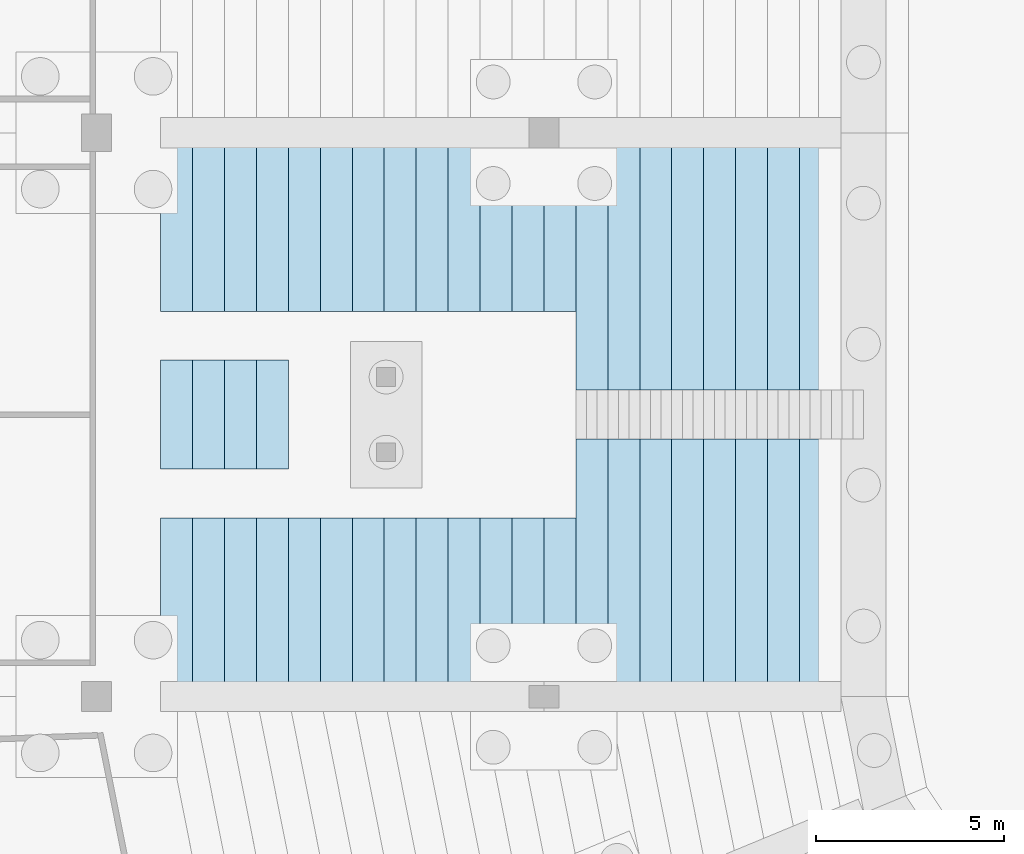
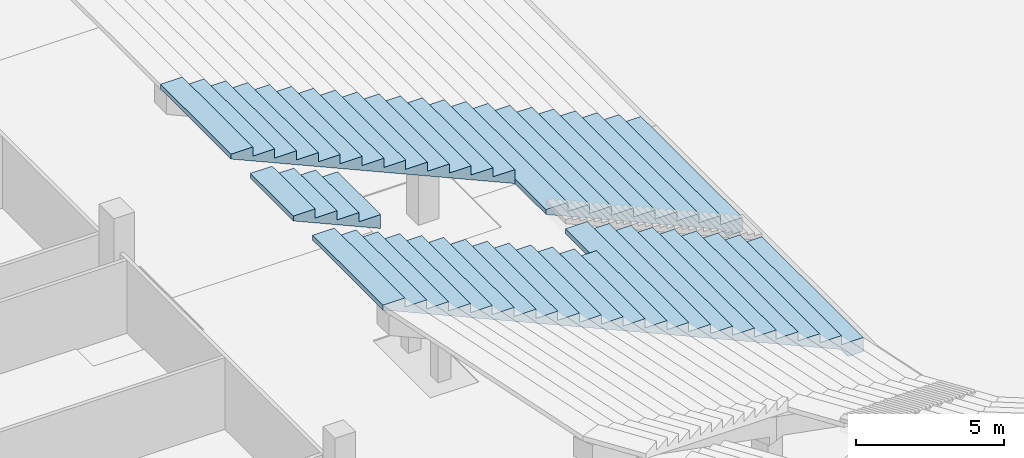
# One storey, part 43 of 115: 1 slab.
"""IFC4 building model written with IfcOpenShell, lengths in metres."""

from ifc_helpers import new_model, si_unit, direction, frame, origin, place, context, subcontext, project, spatial, faceted_brep, material, layer, layer_set, type_object, element, save


model = new_model("IFC4")

# Units and contexts
model_context = context("Model", 3, precision=1e-05, world=origin(), true_north=direction((0.0, 1.0)))
body_context = subcontext(model_context, "Body", "Model", "MODEL_VIEW")
ifc_project = project(units=[si_unit("LENGTHUNIT", "METRE"), si_unit("AREAUNIT", "SQUARE_METRE"), si_unit("VOLUMEUNIT", "CUBIC_METRE"), si_unit("PLANEANGLEUNIT", "RADIAN"), si_unit("MASSUNIT", "GRAM", prefix="KILO")], contexts=[model_context])

# Site, building, storey
site_placement = place(None, origin())
site = spatial("IfcSite", under=ifc_project, at=site_placement, CompositionType="ELEMENT")
building_placement = place(site_placement, origin())
building = spatial("IfcBuilding", under=site, at=building_placement, Name="Ogive Plaza Stadium", CompositionType="ELEMENT")
storey_placement = place(building_placement, frame((0.0, 0.0, -4.5)))
storey = spatial("IfcBuildingStorey", under=building, at=storey_placement, Name="B1", CompositionType="ELEMENT", Elevation=-4.5)

# Slab
ifc_material = material(Name="Concrete C45/55 precast", Category="concrete")
ifc_layer = layer(ifc_material, 0.574951171875)
ifc_layer_set = layer_set([ifc_layer], Name="Concrete C45/55 precast")
slab_type = type_object("IfcSlabType", Name="Seating tier LT 575", PredefinedType="USERDEFINED", material=ifc_layer_set)
slab_placement = place(storey_placement, origin())
element("IfcSlab", 1, at=slab_placement, inside=storey, type_object=slab_type, Name="Stand LT B21", ObjectType="SEATING TIER", PredefinedType="USERDEFINED", context=body_context, shape_type="Brep", body=[
    faceted_brep([(-41.5, -45.64990234375, 1.125), (-42.10009765625, -45.64990234375, 1.125), (-42.10009765625, -52.5, 1.125), (-41.5, -52.5, 1.125), (-41.5, -37.5, 1.125), (-42.10009765625, -37.5, 1.125), (-42.10009765625, -44.35009765625, 1.125), (-41.5, -44.35009765625, 1.125), (-42.35009765625, -45.64990234375, 1.125), (-42.35009765625, -52.5, 1.125), (-42.35009765625, -37.5, 1.125), (-42.35009765625, -44.35009765625, 1.125), (-42.10009765625, -45.64990234375, 0.550048828125), (-41.5, -52.5, 0.550048828125), (-42.10009765625, -52.5, 0.550048828125), (-41.5, -45.64990234375, 0.550048828125), (-42.10009765625, -37.5, 0.550048828125), (-41.5, -44.35009765625, 0.550048828125), (-42.10009765625, -44.35009765625, 0.550048828125), (-41.5, -37.5, 0.550048828125), (-42.35009765625, -52.5, 0.925048828125), (-42.35009765625, -52.5, 1.5), (-43.199951171875, -52.5, 1.5), (-43.199951171875, -52.5, 1.300048828125), (-43.199951171875, -52.5, 1.875), (-44.050048828125, -52.5, 1.875), (-44.050048828125, -52.5, 1.675048828125), (-44.050048828125, -52.5, 2.25), (-44.89990234375, -52.5, 2.25), (-44.89990234375, -52.5, 2.050048828125), (-44.89990234375, -52.5, 2.625), (-45.75, -52.5, 2.625), (-45.75, -52.5, 2.425048828125), (-45.75, -52.5, 3.0), (-46.60009765625, -52.5, 3.0), (-46.60009765625, -52.5, 2.800048828125), (-46.60009765625, -52.5, 3.375), (-47.449951171875, -52.5, 3.375), (-47.449951171875, -52.5, 3.175048828125), (-47.449951171875, -52.5, 3.75), (-48.300048828125, -52.5, 3.75), (-48.300048828125, -52.5, 3.550048828125), (-48.300048828125, -52.5, 4.125), (-49.14990234375, -52.5, 4.125), (-49.14990234375, -52.5, 3.925048828125), (-49.14990234375, -52.5, 4.5), (-50.0, -52.5, 4.5), (-50.0, -52.5, 4.300048828125), (-50.0, -52.5, 4.875), (-50.85009765625, -52.5, 4.875), (-50.85009765625, -52.5, 4.675048828125), (-50.85009765625, -52.5, 5.25), (-51.699951171875, -52.5, 5.25), (-51.699951171875, -52.5, 5.050048828125), (-51.699951171875, -52.5, 5.625), (-52.550048828125, -52.5, 5.625), (-52.550048828125, -52.5, 5.425048828125), (-52.550048828125, -52.5, 6.0), (-53.39990234375, -52.5, 6.0), (-53.39990234375, -52.5, 5.800048828125), (-53.39990234375, -52.5, 6.375), (-54.25, -52.5, 6.375), (-54.25, -52.5, 6.175048828125), (-54.25, -52.5, 6.75), (-55.10009765625, -52.5, 6.75), (-55.10009765625, -52.5, 6.550048828125), (-55.10009765625, -52.5, 7.125), (-55.949951171875, -52.5, 7.125), (-55.949951171875, -52.5, 6.925048828125), (-55.949951171875, -52.5, 7.5), (-56.800048828125, -52.5, 7.5), (-56.800048828125, -52.5, 7.300048828125), (-56.800048828125, -52.5, 7.875), (-57.64990234375, -52.5, 7.875), (-57.64990234375, -52.5, 7.675048828125), (-57.64990234375, -52.5, 8.25), (-58.5, -52.5, 8.25), (-58.5, -52.5, 8.050048828125), (-58.5, -52.5, 8.625), (-59.35009765625, -52.5, 8.625), (-59.35009765625, -52.5, 8.425048828125), (-59.35009765625, -52.5, 9.0), (-60.199951171875, -52.5, 9.0), (-60.199951171875, -52.5, 8.800048828125), (-42.35009765625, -45.64990234375, 0.925048828125), (-43.199951171875, -45.64990234375, 1.5), (-42.35009765625, -45.64990234375, 1.5), (-43.199951171875, -45.64990234375, 1.300048828125), (-44.050048828125, -45.64990234375, 1.875), (-43.199951171875, -45.64990234375, 1.875), (-44.050048828125, -45.64990234375, 1.675048828125), (-44.89990234375, -45.64990234375, 2.25), (-44.050048828125, -45.64990234375, 2.25), (-44.89990234375, -45.64990234375, 2.050048828125), (-45.75, -45.64990234375, 2.625), (-44.89990234375, -45.64990234375, 2.625), (-45.75, -45.64990234375, 2.425048828125), (-46.60009765625, -45.64990234375, 3.0), (-45.75, -45.64990234375, 3.0), (-46.60009765625, -45.64990234375, 2.800048828125), (-47.449951171875, -45.64990234375, 3.375), (-46.60009765625, -45.64990234375, 3.375), (-47.449951171875, -45.64990234375, 3.175048828125), (-48.300048828125, -45.64990234375, 3.75), (-47.449951171875, -45.64990234375, 3.75), (-48.300048828125, -45.64990234375, 3.550048828125), (-49.14990234375, -45.64990234375, 4.125), (-48.300048828125, -45.64990234375, 4.125), (-49.14990234375, -45.64990234375, 3.925048828125), (-42.35009765625, -44.35009765625, 0.925048828125), (-42.35009765625, -44.35009765625, 1.5), (-43.199951171875, -44.35009765625, 1.5), (-43.199951171875, -44.35009765625, 1.300048828125), (-43.199951171875, -44.35009765625, 1.875), (-44.050048828125, -44.35009765625, 1.875), (-44.050048828125, -44.35009765625, 1.675048828125), (-44.050048828125, -44.35009765625, 2.25), (-44.89990234375, -44.35009765625, 2.25), (-44.89990234375, -44.35009765625, 2.050048828125), (-44.89990234375, -44.35009765625, 2.625), (-45.75, -44.35009765625, 2.625), (-45.75, -44.35009765625, 2.425048828125), (-45.75, -44.35009765625, 3.0), (-46.60009765625, -44.35009765625, 3.0), (-46.60009765625, -44.35009765625, 2.800048828125), (-46.60009765625, -44.35009765625, 3.375), (-47.449951171875, -44.35009765625, 3.375), (-47.449951171875, -44.35009765625, 3.175048828125), (-47.449951171875, -44.35009765625, 3.75), (-48.300048828125, -44.35009765625, 3.75), (-48.300048828125, -44.35009765625, 3.550048828125), (-48.300048828125, -44.35009765625, 4.125), (-49.14990234375, -44.35009765625, 4.125), (-49.14990234375, -44.35009765625, 3.925048828125), (-42.35009765625, -37.5, 0.925048828125), (-43.199951171875, -37.5, 1.5), (-42.35009765625, -37.5, 1.5), (-43.199951171875, -37.5, 1.300048828125), (-44.050048828125, -37.5, 1.875), (-43.199951171875, -37.5, 1.875), (-44.050048828125, -37.5, 1.675048828125), (-44.89990234375, -37.5, 2.25), (-44.050048828125, -37.5, 2.25), (-44.89990234375, -37.5, 2.050048828125), (-45.75, -37.5, 2.625), (-44.89990234375, -37.5, 2.625), (-45.75, -37.5, 2.425048828125), (-46.60009765625, -37.5, 3.0), (-45.75, -37.5, 3.0), (-46.60009765625, -37.5, 2.800048828125), (-47.449951171875, -37.5, 3.375), (-46.60009765625, -37.5, 3.375), (-47.449951171875, -37.5, 3.175048828125), (-48.300048828125, -37.5, 3.75), (-47.449951171875, -37.5, 3.75), (-48.300048828125, -37.5, 3.550048828125), (-49.14990234375, -37.5, 4.125), (-48.300048828125, -37.5, 4.125), (-49.14990234375, -37.5, 3.925048828125), (-50.0, -37.5, 4.5), (-49.14990234375, -37.5, 4.5), (-50.0, -37.5, 4.300048828125), (-50.85009765625, -37.5, 4.875), (-50.0, -37.5, 4.875), (-50.85009765625, -37.5, 4.675048828125), (-51.699951171875, -37.5, 5.25), (-50.85009765625, -37.5, 5.25), (-51.699951171875, -37.5, 5.050048828125), (-52.550048828125, -37.5, 5.625), (-51.699951171875, -37.5, 5.625), (-52.550048828125, -37.5, 5.425048828125), (-53.39990234375, -37.5, 6.0), (-52.550048828125, -37.5, 6.0), (-53.39990234375, -37.5, 5.800048828125), (-54.25, -37.5, 6.375), (-53.39990234375, -37.5, 6.375), (-54.25, -37.5, 6.175048828125), (-55.10009765625, -37.5, 6.75), (-54.25, -37.5, 6.75), (-55.10009765625, -37.5, 6.550048828125), (-55.949951171875, -37.5, 7.125), (-55.10009765625, -37.5, 7.125), (-55.949951171875, -37.5, 6.925048828125), (-56.800048828125, -37.5, 7.5), (-55.949951171875, -37.5, 7.5), (-56.800048828125, -37.5, 7.300048828125), (-57.64990234375, -37.5, 7.875), (-56.800048828125, -37.5, 7.875), (-57.64990234375, -37.5, 7.675048828125), (-58.5, -37.5, 8.25), (-57.64990234375, -37.5, 8.25), (-58.5, -37.5, 8.050048828125), (-59.35009765625, -37.5, 8.625), (-58.5, -37.5, 8.625), (-59.35009765625, -37.5, 8.425048828125), (-60.199951171875, -37.5, 9.0), (-59.35009765625, -37.5, 9.0), (-60.199951171875, -37.5, 8.800048828125), (-49.14990234375, -47.75, 3.925048828125), (-49.14990234375, -42.25, 3.925048828125), (-50.0, -47.75, 4.300048828125), (-50.0, -42.25, 4.300048828125), (-50.85009765625, -47.75, 4.675048828125), (-50.85009765625, -42.25, 4.675048828125), (-51.699951171875, -47.75, 5.050048828125), (-51.699951171875, -42.25, 5.050048828125), (-52.550048828125, -47.75, 5.425048828125), (-52.550048828125, -42.25, 5.425048828125), (-53.39990234375, -47.75, 5.800048828125), (-53.39990234375, -42.25, 5.800048828125), (-54.25, -47.75, 6.175048828125), (-54.25, -42.25, 6.175048828125), (-55.10009765625, -47.75, 6.550048828125), (-55.10009765625, -42.25, 6.550048828125), (-55.949951171875, -47.75, 6.925048828125), (-55.949951171875, -42.25, 6.925048828125), (-56.800048828125, -47.75, 7.300048828125), (-56.800048828125, -42.25, 7.300048828125), (-57.64990234375, -47.75, 7.675048828125), (-57.64990234375, -43.550048828125, 7.675048828125), (-56.800048828125, -46.449951171875, 7.300048828125), (-57.64990234375, -46.449951171875, 7.675048828125), (-56.800048828125, -43.550048828125, 7.300048828125), (-57.64990234375, -42.25, 7.675048828125), (-49.14990234375, -47.75, 4.125), (-49.14990234375, -42.25, 4.125), (-49.14990234375, -47.75, 4.5), (-49.14990234375, -42.25, 4.5), (-50.0, -47.75, 4.5), (-50.0, -42.25, 4.5), (-50.0, -47.75, 4.875), (-50.0, -42.25, 4.875), (-50.85009765625, -47.75, 4.875), (-51.699951171875, -47.75, 5.25), (-50.85009765625, -47.75, 5.25), (-52.550048828125, -47.75, 5.625), (-51.699951171875, -47.75, 5.625), (-53.39990234375, -47.75, 6.0), (-52.550048828125, -47.75, 6.0), (-54.25, -47.75, 6.375), (-53.39990234375, -47.75, 6.375), (-55.10009765625, -47.75, 6.75), (-54.25, -47.75, 6.75), (-55.949951171875, -47.75, 7.125), (-55.10009765625, -47.75, 7.125), (-56.800048828125, -47.75, 7.5), (-55.949951171875, -47.75, 7.5), (-57.64990234375, -47.75, 7.875), (-56.800048828125, -47.75, 7.875), (-58.5, -47.75, 8.25), (-57.64990234375, -47.75, 8.25), (-58.5, -47.75, 8.050048828125), (-59.35009765625, -47.75, 8.625), (-58.5, -47.75, 8.625), (-59.35009765625, -47.75, 8.425048828125), (-60.199951171875, -47.75, 9.0), (-59.35009765625, -47.75, 9.0), (-60.199951171875, -47.75, 8.800048828125), (-50.85009765625, -42.25, 4.875), (-50.85009765625, -42.25, 5.25), (-51.699951171875, -42.25, 5.25), (-51.699951171875, -42.25, 5.625), (-52.550048828125, -42.25, 5.625), (-52.550048828125, -42.25, 6.0), (-53.39990234375, -42.25, 6.0), (-53.39990234375, -42.25, 6.375), (-54.25, -42.25, 6.375), (-54.25, -42.25, 6.75), (-55.10009765625, -42.25, 6.75), (-55.10009765625, -42.25, 7.125), (-55.949951171875, -42.25, 7.125), (-55.949951171875, -42.25, 7.5), (-56.800048828125, -42.25, 7.5), (-56.800048828125, -42.25, 7.875), (-57.64990234375, -42.25, 7.875), (-57.64990234375, -42.25, 8.25), (-58.5, -42.25, 8.25), (-58.5, -42.25, 8.050048828125), (-58.5, -42.25, 8.625), (-59.35009765625, -42.25, 8.625), (-59.35009765625, -42.25, 8.425048828125), (-59.35009765625, -42.25, 9.0), (-60.199951171875, -42.25, 9.0), (-60.199951171875, -42.25, 8.800048828125), (-56.800048828125, -46.449951171875, 7.875), (-56.800048828125, -43.550048828125, 7.875), (-57.64990234375, -43.550048828125, 7.875), (-57.64990234375, -46.449951171875, 7.875), (-57.64990234375, -46.449951171875, 8.25), (-57.64990234375, -43.550048828125, 8.25), (-58.5, -46.449951171875, 8.25), (-58.5, -46.449951171875, 8.050048828125), (-58.5, -46.449951171875, 8.625), (-59.35009765625, -46.449951171875, 8.625), (-59.35009765625, -46.449951171875, 8.425048828125), (-59.35009765625, -46.449951171875, 9.0), (-60.199951171875, -46.449951171875, 9.0), (-60.199951171875, -46.449951171875, 8.800048828125), (-58.5, -43.550048828125, 8.25), (-58.5, -43.550048828125, 8.050048828125), (-59.35009765625, -43.550048828125, 8.625), (-58.5, -43.550048828125, 8.625), (-59.35009765625, -43.550048828125, 8.425048828125), (-60.199951171875, -43.550048828125, 9.0), (-59.35009765625, -43.550048828125, 9.0), (-60.199951171875, -43.550048828125, 8.800048828125)], [[[0, 1, 2]], [[2, 3, 0]], [[4, 5, 6]], [[6, 7, 4]], [[1, 8, 9]], [[9, 2, 1]], [[5, 10, 11]], [[11, 6, 5]], [[12, 13, 14]], [[12, 15, 13]], [[16, 17, 18]], [[16, 19, 17]], [[2, 14, 13]], [[13, 3, 2]], [[20, 14, 2]], [[20, 2, 9]], [[9, 21, 22]], [[22, 23, 20]], [[20, 9, 22]], [[22, 24, 25]], [[25, 26, 23]], [[23, 22, 25]], [[25, 27, 28]], [[28, 29, 26]], [[26, 25, 28]], [[28, 30, 31]], [[31, 32, 29]], [[29, 28, 31]], [[31, 33, 34]], [[34, 35, 32]], [[32, 31, 34]], [[34, 36, 37]], [[37, 38, 35]], [[35, 34, 37]], [[37, 39, 40]], [[40, 41, 38]], [[38, 37, 40]], [[40, 42, 43]], [[43, 44, 41]], [[41, 40, 43]], [[43, 45, 46]], [[46, 47, 44]], [[44, 43, 46]], [[46, 48, 49]], [[49, 50, 47]], [[47, 46, 49]], [[49, 51, 52]], [[52, 53, 50]], [[50, 49, 52]], [[52, 54, 55]], [[55, 56, 53]], [[53, 52, 55]], [[55, 57, 58]], [[58, 59, 56]], [[56, 55, 58]], [[58, 60, 61]], [[61, 62, 59]], [[59, 58, 61]], [[61, 63, 64]], [[64, 65, 62]], [[62, 61, 64]], [[64, 66, 67]], [[67, 68, 65]], [[65, 64, 67]], [[67, 69, 70]], [[70, 71, 68]], [[68, 67, 70]], [[70, 72, 73]], [[73, 74, 71]], [[71, 70, 73]], [[73, 75, 76]], [[76, 77, 74]], [[74, 73, 76]], [[76, 78, 79]], [[79, 80, 77]], [[77, 76, 79]], [[79, 81, 82]], [[82, 83, 80]], [[80, 79, 82]], [[3, 13, 15]], [[15, 0, 3]], [[7, 17, 19]], [[19, 4, 7]], [[0, 15, 12]], [[12, 1, 0]], [[1, 12, 84]], [[84, 8, 1]], [[85, 86, 8]], [[8, 84, 87]], [[87, 85, 8]], [[88, 89, 85]], [[85, 87, 90]], [[90, 88, 85]], [[91, 92, 88]], [[88, 90, 93]], [[93, 91, 88]], [[94, 95, 91]], [[91, 93, 96]], [[96, 94, 91]], [[97, 98, 94]], [[94, 96, 99]], [[99, 97, 94]], [[100, 101, 97]], [[97, 99, 102]], [[102, 100, 97]], [[103, 104, 100]], [[100, 102, 105]], [[105, 103, 100]], [[106, 107, 103]], [[103, 105, 108]], [[108, 106, 103]], [[6, 18, 17]], [[17, 7, 6]], [[109, 18, 6]], [[109, 6, 11]], [[11, 110, 111]], [[111, 112, 109]], [[109, 11, 111]], [[111, 113, 114]], [[114, 115, 112]], [[112, 111, 114]], [[114, 116, 117]], [[117, 118, 115]], [[115, 114, 117]], [[117, 119, 120]], [[120, 121, 118]], [[118, 117, 120]], [[120, 122, 123]], [[123, 124, 121]], [[121, 120, 123]], [[123, 125, 126]], [[126, 127, 124]], [[124, 123, 126]], [[126, 128, 129]], [[129, 130, 127]], [[127, 126, 129]], [[129, 131, 132]], [[132, 133, 130]], [[130, 129, 132]], [[4, 19, 16]], [[16, 5, 4]], [[5, 16, 134]], [[134, 10, 5]], [[135, 136, 10]], [[10, 134, 137]], [[137, 135, 10]], [[138, 139, 135]], [[135, 137, 140]], [[140, 138, 135]], [[141, 142, 138]], [[138, 140, 143]], [[143, 141, 138]], [[144, 145, 141]], [[141, 143, 146]], [[146, 144, 141]], [[147, 148, 144]], [[144, 146, 149]], [[149, 147, 144]], [[150, 151, 147]], [[147, 149, 152]], [[152, 150, 147]], [[153, 154, 150]], [[150, 152, 155]], [[155, 153, 150]], [[156, 157, 153]], [[153, 155, 158]], [[158, 156, 153]], [[159, 160, 156]], [[156, 158, 161]], [[161, 159, 156]], [[162, 163, 159]], [[159, 161, 164]], [[164, 162, 159]], [[165, 166, 162]], [[162, 164, 167]], [[167, 165, 162]], [[168, 169, 165]], [[165, 167, 170]], [[170, 168, 165]], [[171, 172, 168]], [[168, 170, 173]], [[173, 171, 168]], [[174, 175, 171]], [[171, 173, 176]], [[176, 174, 171]], [[177, 178, 174]], [[174, 176, 179]], [[179, 177, 174]], [[180, 181, 177]], [[177, 179, 182]], [[182, 180, 177]], [[183, 184, 180]], [[180, 182, 185]], [[185, 183, 180]], [[186, 187, 183]], [[183, 185, 188]], [[188, 186, 183]], [[189, 190, 186]], [[186, 188, 191]], [[191, 189, 186]], [[192, 193, 189]], [[189, 191, 194]], [[194, 192, 189]], [[195, 196, 192]], [[192, 194, 197]], [[197, 195, 192]], [[84, 14, 20]], [[84, 12, 14]], [[134, 18, 109]], [[134, 16, 18]], [[21, 9, 8]], [[8, 86, 21]], [[110, 11, 10]], [[10, 136, 110]], [[86, 85, 22]], [[22, 21, 86]], [[136, 135, 111]], [[111, 110, 136]], [[87, 20, 23]], [[87, 84, 20]], [[137, 109, 112]], [[137, 134, 109]], [[90, 23, 26]], [[90, 87, 23]], [[140, 112, 115]], [[140, 137, 112]], [[93, 26, 29]], [[93, 90, 26]], [[143, 115, 118]], [[143, 140, 115]], [[96, 29, 32]], [[96, 93, 29]], [[146, 118, 121]], [[146, 143, 118]], [[99, 32, 35]], [[99, 96, 32]], [[149, 121, 124]], [[149, 146, 121]], [[102, 35, 38]], [[102, 99, 35]], [[152, 124, 127]], [[152, 149, 124]], [[105, 38, 41]], [[105, 102, 38]], [[155, 127, 130]], [[155, 152, 127]], [[41, 44, 198]], [[108, 41, 198]], [[108, 105, 41]], [[199, 158, 130]], [[130, 133, 199]], [[158, 155, 130]], [[200, 44, 47]], [[200, 198, 44]], [[161, 199, 201]], [[161, 158, 199]], [[202, 47, 50]], [[202, 200, 47]], [[164, 201, 203]], [[164, 161, 201]], [[204, 50, 53]], [[204, 202, 50]], [[167, 203, 205]], [[167, 164, 203]], [[206, 53, 56]], [[206, 204, 53]], [[170, 205, 207]], [[170, 167, 205]], [[208, 56, 59]], [[208, 206, 56]], [[173, 207, 209]], [[173, 170, 207]], [[210, 59, 62]], [[210, 208, 59]], [[176, 209, 211]], [[176, 173, 209]], [[212, 62, 65]], [[212, 210, 62]], [[179, 211, 213]], [[179, 176, 211]], [[214, 65, 68]], [[214, 212, 65]], [[182, 213, 215]], [[182, 179, 213]], [[216, 68, 71]], [[216, 214, 68]], [[185, 215, 217]], [[185, 182, 215]], [[218, 71, 74]], [[218, 216, 71]], [[219, 220, 221]], [[219, 222, 220]], [[188, 217, 223]], [[188, 185, 217]], [[24, 22, 85]], [[85, 89, 24]], [[113, 111, 135]], [[135, 139, 113]], [[89, 88, 25]], [[25, 24, 89]], [[139, 138, 114]], [[114, 113, 139]], [[27, 25, 88]], [[88, 92, 27]], [[116, 114, 138]], [[138, 142, 116]], [[92, 91, 28]], [[28, 27, 92]], [[142, 141, 117]], [[117, 116, 142]], [[30, 28, 91]], [[91, 95, 30]], [[119, 117, 141]], [[141, 145, 119]], [[95, 94, 31]], [[31, 30, 95]], [[145, 144, 120]], [[120, 119, 145]], [[33, 31, 94]], [[94, 98, 33]], [[122, 120, 144]], [[144, 148, 122]], [[98, 97, 34]], [[34, 33, 98]], [[148, 147, 123]], [[123, 122, 148]], [[36, 34, 97]], [[97, 101, 36]], [[125, 123, 147]], [[147, 151, 125]], [[101, 100, 37]], [[37, 36, 101]], [[151, 150, 126]], [[126, 125, 151]], [[39, 37, 100]], [[100, 104, 39]], [[128, 126, 150]], [[150, 154, 128]], [[104, 103, 40]], [[40, 39, 104]], [[154, 153, 129]], [[129, 128, 154]], [[42, 40, 103]], [[103, 107, 42]], [[131, 129, 153]], [[153, 157, 131]], [[43, 42, 107]], [[224, 43, 107]], [[106, 224, 107]], [[132, 131, 157]], [[157, 156, 225]], [[225, 132, 157]], [[108, 198, 224]], [[224, 106, 108]], [[199, 133, 132]], [[132, 225, 199]], [[45, 43, 224]], [[224, 226, 45]], [[227, 225, 156]], [[156, 160, 227]], [[226, 228, 46]], [[46, 45, 226]], [[160, 159, 229]], [[229, 227, 160]], [[48, 46, 228]], [[228, 230, 48]], [[231, 229, 159]], [[159, 163, 231]], [[228, 226, 224]], [[224, 198, 200]], [[200, 228, 224]], [[232, 230, 228]], [[228, 200, 202]], [[202, 232, 228]], [[233, 234, 232]], [[232, 202, 204]], [[204, 233, 232]], [[235, 236, 233]], [[233, 204, 206]], [[206, 235, 233]], [[237, 238, 235]], [[235, 206, 208]], [[208, 237, 235]], [[239, 240, 237]], [[237, 208, 210]], [[210, 239, 237]], [[241, 242, 239]], [[239, 210, 212]], [[212, 241, 239]], [[243, 244, 241]], [[241, 212, 214]], [[214, 243, 241]], [[245, 246, 243]], [[243, 214, 216]], [[216, 245, 243]], [[247, 248, 245]], [[245, 216, 218]], [[218, 247, 245]], [[249, 250, 247]], [[247, 218, 251]], [[251, 249, 247]], [[252, 253, 249]], [[249, 251, 254]], [[254, 252, 249]], [[255, 256, 252]], [[252, 254, 257]], [[257, 255, 252]], [[225, 227, 229]], [[229, 201, 199]], [[199, 225, 229]], [[229, 231, 258]], [[258, 203, 201]], [[201, 229, 258]], [[258, 259, 260]], [[260, 205, 203]], [[203, 258, 260]], [[260, 261, 262]], [[262, 207, 205]], [[205, 260, 262]], [[262, 263, 264]], [[264, 209, 207]], [[207, 262, 264]], [[264, 265, 266]], [[266, 211, 209]], [[209, 264, 266]], [[266, 267, 268]], [[268, 213, 211]], [[211, 266, 268]], [[268, 269, 270]], [[270, 215, 213]], [[213, 268, 270]], [[270, 271, 272]], [[272, 217, 215]], [[215, 270, 272]], [[272, 273, 274]], [[274, 223, 217]], [[217, 272, 274]], [[274, 275, 276]], [[276, 277, 223]], [[223, 274, 276]], [[276, 278, 279]], [[279, 280, 277]], [[277, 276, 279]], [[279, 281, 282]], [[282, 283, 280]], [[280, 279, 282]], [[230, 232, 49]], [[49, 48, 230]], [[163, 162, 258]], [[258, 231, 163]], [[51, 49, 232]], [[232, 234, 51]], [[259, 258, 162]], [[162, 166, 259]], [[234, 233, 52]], [[52, 51, 234]], [[166, 165, 260]], [[260, 259, 166]], [[54, 52, 233]], [[233, 236, 54]], [[261, 260, 165]], [[165, 169, 261]], [[236, 235, 55]], [[55, 54, 236]], [[169, 168, 262]], [[262, 261, 169]], [[57, 55, 235]], [[235, 238, 57]], [[263, 262, 168]], [[168, 172, 263]], [[238, 237, 58]], [[58, 57, 238]], [[172, 171, 264]], [[264, 263, 172]], [[60, 58, 237]], [[237, 240, 60]], [[265, 264, 171]], [[171, 175, 265]], [[240, 239, 61]], [[61, 60, 240]], [[175, 174, 266]], [[266, 265, 175]], [[63, 61, 239]], [[239, 242, 63]], [[267, 266, 174]], [[174, 178, 267]], [[242, 241, 64]], [[64, 63, 242]], [[178, 177, 268]], [[268, 267, 178]], [[66, 64, 241]], [[241, 244, 66]], [[269, 268, 177]], [[177, 181, 269]], [[244, 243, 67]], [[67, 66, 244]], [[181, 180, 270]], [[270, 269, 181]], [[69, 67, 243]], [[243, 246, 69]], [[271, 270, 180]], [[180, 184, 271]], [[246, 245, 70]], [[70, 69, 246]], [[184, 183, 272]], [[272, 271, 184]], [[72, 70, 245]], [[245, 248, 72]], [[284, 220, 222]], [[222, 285, 284]], [[273, 272, 183]], [[183, 187, 273]], [[248, 247, 73]], [[73, 72, 248]], [[285, 286, 287]], [[287, 284, 285]], [[187, 186, 274]], [[274, 273, 187]], [[75, 73, 247]], [[247, 250, 75]], [[288, 287, 286]], [[286, 289, 288]], [[275, 274, 186]], [[186, 190, 275]], [[221, 220, 284]], [[221, 284, 287]], [[287, 288, 290]], [[290, 291, 221]], [[221, 287, 290]], [[290, 292, 293]], [[293, 294, 291]], [[291, 290, 293]], [[293, 295, 296]], [[296, 297, 294]], [[294, 293, 296]], [[285, 222, 219]], [[219, 286, 285]], [[298, 289, 286]], [[286, 219, 299]], [[299, 298, 286]], [[300, 301, 298]], [[298, 299, 302]], [[302, 300, 298]], [[303, 304, 300]], [[300, 302, 305]], [[305, 303, 300]], [[250, 249, 76]], [[76, 75, 250]], [[289, 298, 290]], [[290, 288, 289]], [[190, 189, 276]], [[276, 275, 190]], [[251, 74, 77]], [[251, 218, 74]], [[299, 221, 291]], [[299, 219, 221]], [[191, 223, 277]], [[191, 188, 223]], [[254, 77, 80]], [[254, 251, 77]], [[302, 291, 294]], [[302, 299, 291]], [[194, 277, 280]], [[194, 191, 277]], [[257, 80, 83]], [[257, 254, 80]], [[305, 294, 297]], [[305, 302, 294]], [[197, 280, 283]], [[197, 194, 280]], [[78, 76, 249]], [[249, 253, 78]], [[292, 290, 298]], [[298, 301, 292]], [[278, 276, 189]], [[189, 193, 278]], [[253, 252, 79]], [[79, 78, 253]], [[301, 300, 293]], [[293, 292, 301]], [[193, 192, 279]], [[279, 278, 193]], [[81, 79, 252]], [[252, 256, 81]], [[295, 293, 300]], [[300, 304, 295]], [[281, 279, 192]], [[192, 196, 281]], [[256, 255, 82]], [[82, 81, 256]], [[304, 303, 296]], [[296, 295, 304]], [[196, 195, 282]], [[282, 281, 196]], [[255, 257, 83]], [[83, 82, 255]], [[303, 305, 297]], [[297, 296, 303]], [[195, 197, 283]], [[283, 282, 195]]]),
])

save(model, "model.ifc")
